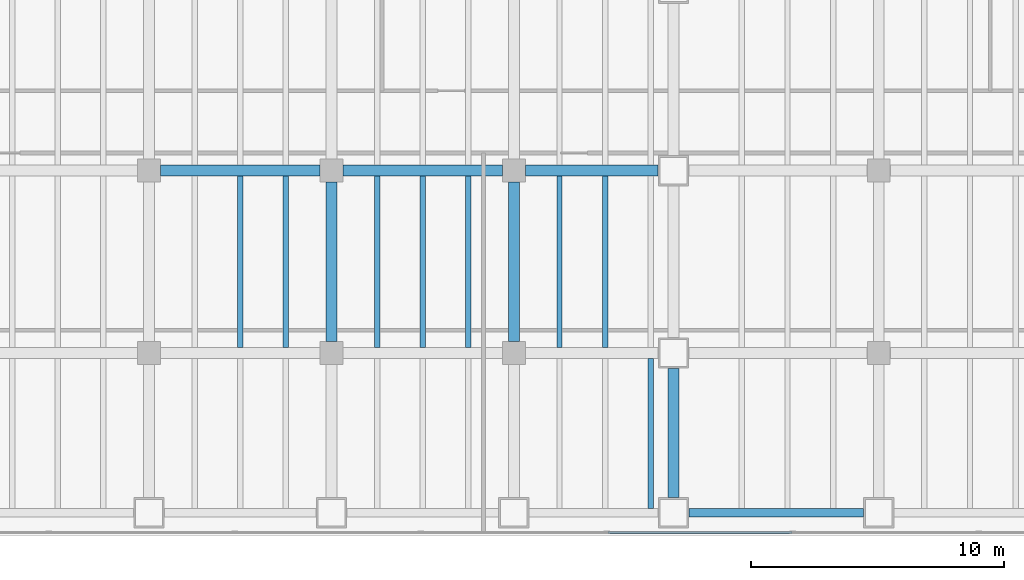
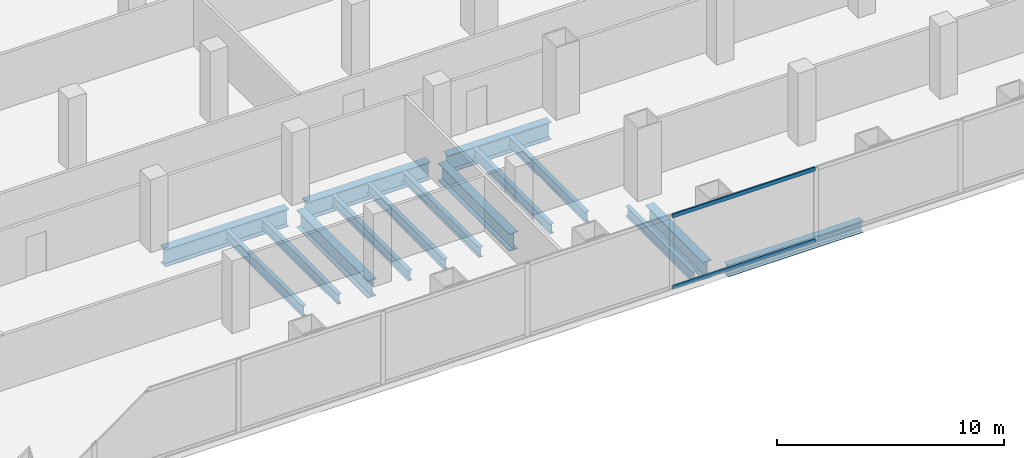
# One storey, part 6 of 29: 15 beams, 2 members, 1 element without a shape of its own.
"""IFC4 building model written with IfcOpenShell, lengths in metres."""

import ifcopenshell
import ifcopenshell.guid

model = None  # the IFC model being written
_history = None  # IfcOwnerHistory: only IFC2X3 demands one
_inside = {}  # id of a spatial element -> (the spatial element, [elements in it])
_under = {}  # id of a project, library or spatial element -> (it, [spatial elements below it])
_declared = {}  # id of a project -> (the project, [libraries it declares])
_typed = {}  # id of a type object -> (the type object, [elements of that type])
_made_of = {}  # id of a material, layer set ... -> (it, [elements and type objects made of it])


def new_model(schema):
    """Start an empty IFC model of exactly this schema.

    Asked for "IFC4X3", IfcOpenShell would pick the latest addendum, in which some entities
    have other attributes; the version numbers below select the first issue.
    IFC2X3 requires an IfcOwnerHistory on every rooted entity: one is made here for all.
    """
    global model, _history
    if schema == "IFC4X3":
        model = ifcopenshell.file(schema_version=(4, 3, 0, 0))
    else:
        model = ifcopenshell.file(schema=schema)
    _inside.clear()
    _under.clear()
    _declared.clear()
    _typed.clear()
    _made_of.clear()
    _history = None
    if model.schema == "IFC2X3":
        org = make("IfcOrganization", Name="unknown")
        user = make(
            "IfcPersonAndOrganization",
            ThePerson=make("IfcPerson", FamilyName="unknown"),
            TheOrganization=org,
        )
        app = make(
            "IfcApplication",
            ApplicationDeveloper=org,
            Version="unknown",
            ApplicationFullName="unknown",
            ApplicationIdentifier="unknown",
        )
        _history = make(
            "IfcOwnerHistory",
            OwningUser=user,
            OwningApplication=app,
            ChangeAction="ADDED",
            CreationDate=0,
        )
    return model


def make(cls, **values):
    """One entity of the class cls with the attributes given. An attribute that is None is left unset."""
    return model.create_entity(
        cls, **{name: value for name, value in values.items() if value is not None}
    )


def rooted(cls, **values):
    """An entity with a GlobalId (a new one), such as an element, a storey or a relation."""
    return make(cls, GlobalId=ifcopenshell.guid.new(), OwnerHistory=_history, **values)


def si_unit(unit_type, name, prefix=None):
    """IfcSIUnit, for example si_unit("LENGTHUNIT", "METRE", prefix="MILLI")."""
    return make("IfcSIUnit", UnitType=unit_type, Prefix=prefix, Name=name)


def assignment(units):
    """IfcUnitAssignment: the units of a project."""
    return None if units is None else make("IfcUnitAssignment", Units=units)


def point(xyz):
    """IfcCartesianPoint."""
    return None if xyz is None else make("IfcCartesianPoint", Coordinates=xyz)


def direction(xyz):
    """IfcDirection."""
    return None if xyz is None else make("IfcDirection", DirectionRatios=xyz)


def frame(location, z_axis=None, x_axis=None):
    """IfcAxis2Placement3D, a coordinate frame: its origin and axes. An axis left out is left unset."""
    return make(
        "IfcAxis2Placement3D",
        Location=point(location),
        Axis=direction(z_axis),
        RefDirection=direction(x_axis),
    )


def frame_2d(location, x_axis=None):
    """IfcAxis2Placement2D, a coordinate frame in the plane: its origin and x axis."""
    return make(
        "IfcAxis2Placement2D", Location=point(location), RefDirection=direction(x_axis)
    )


def origin():
    """The frame at (0, 0, 0) with its axes left unset."""
    return frame((0.0, 0.0, 0.0))


def origin_2d():
    """The frame at (0, 0) in the plane with its x axis left unset."""
    return frame_2d((0.0, 0.0))


def place(relative_to, where):
    """IfcLocalPlacement: puts the frame where relative to a parent placement (None: the world)."""
    return make(
        "IfcLocalPlacement", PlacementRelTo=relative_to, RelativePlacement=where
    )


def context(
    kind, dimensions, precision=None, world=None, true_north=None, identifier=None
):
    """IfcGeometricRepresentationContext, for example the 3D "Model" context."""
    return make(
        "IfcGeometricRepresentationContext",
        ContextIdentifier=identifier,
        ContextType=kind,
        CoordinateSpaceDimension=dimensions,
        Precision=precision,
        WorldCoordinateSystem=world,
        TrueNorth=true_north,
    )


def subcontext(parent, identifier, kind, view, scale=None):
    """IfcGeometricRepresentationSubContext, for example "Body" below "Model"."""
    return make(
        "IfcGeometricRepresentationSubContext",
        ContextIdentifier=identifier,
        ContextType=kind,
        ParentContext=parent,
        TargetScale=scale,
        TargetView=view,
    )


def project(units=None, contexts=None):
    """IfcProject with its units and contexts."""
    return rooted(
        "IfcProject",
        Name="project",
        RepresentationContexts=contexts,
        UnitsInContext=assignment(units),
    )


def spatial(cls, under=None, at=None, **own):
    """A site, building, storey or space (cls), placed at a placement, below another one or the project."""
    s = rooted(cls, ObjectPlacement=at, **own)
    if under is not None:
        _under.setdefault(under.id(), (under, []))[1].append(s)
    return s


def profile(cls, at=None, kind="AREA", **sizes):
    """A parametric profile (cls). Its sizes go by their IFC names, for example OverallWidth=200.0."""
    return make(cls, ProfileType=kind, Position=at, **sizes)


def hollow_rectangle(**sizes):
    """IfcRectangleHollowProfileDef."""
    return profile("IfcRectangleHollowProfileDef", **sizes)


def i_section(**sizes):
    """IfcIShapeProfileDef."""
    return profile("IfcIShapeProfileDef", **sizes)


def extrude(swept, where, along, depth):
    """IfcExtrudedAreaSolid: the profile swept, set in the frame where, extruded along a direction by depth."""
    return make(
        "IfcExtrudedAreaSolid",
        SweptArea=swept,
        Position=where,
        ExtrudedDirection=direction(along),
        Depth=depth,
    )


def shape(context_of_items, identifier, shape_type, items):
    """IfcShapeRepresentation: the items that make up one representation, for example the "Body"."""
    return make(
        "IfcShapeRepresentation",
        ContextOfItems=context_of_items,
        RepresentationIdentifier=identifier,
        RepresentationType=shape_type,
        Items=items,
    )


def material(Name=None, Category=None):
    """IfcMaterial."""
    return make("IfcMaterial", Name=Name, Category=Category)


def material_profile(
    of_material, cross_section, Name=None, Category=None, Priority=None
):
    """IfcMaterialProfile: a cross section and its material."""
    return make(
        "IfcMaterialProfile",
        Name=Name,
        Material=of_material,
        Profile=cross_section,
        Priority=Priority,
        Category=Category,
    )


def profile_set(profiles, Name=None, composite=None):
    """IfcMaterialProfileSet."""
    return make(
        "IfcMaterialProfileSet",
        Name=Name,
        MaterialProfiles=profiles,
        CompositeProfile=composite,
    )


def made_of(thing, what):
    """Note that an element or type object is made of a material, layer set ...; save() writes the relation."""
    if what is not None:
        _made_of.setdefault(what.id(), (what, []))[1].append(thing)
    return thing


def type_object(cls, material=None, **own):
    """A type object (cls), such as IfcWallType, which elements share."""
    return made_of(rooted(cls, **own), material)


def element(
    cls,
    number,
    at=None,
    inside=None,
    cuts=None,
    type_object=None,
    material=None,
    context=None,
    identifier="Body",
    shape_type=None,
    held_by="IfcProductDefinitionShape",
    body=None,
    shapes=None,
    **own,
):
    """One element of the class cls, such as IfcWall. Its Tag is "e" and its number.

    at: its placement. inside: the storey or other place that contains it. cuts: it is an
    opening in that element (IfcRelVoidsElement). A single representation is given by context,
    identifier, shape_type and body (its items); several are given by shapes. held_by: the class
    of the entity that holds the representations. save() writes the other relations.
    """
    e = rooted(cls, Tag="e%d" % number, ObjectPlacement=at, **own)
    if body is not None:
        shapes = [shape(context, identifier, shape_type, body)]
    if shapes is not None:
        e.Representation = make(held_by, Representations=shapes)
    if inside is not None:
        _inside.setdefault(inside.id(), (inside, []))[1].append(e)
    if cuts is not None:
        rooted(
            "IfcRelVoidsElement", RelatingBuildingElement=cuts, RelatedOpeningElement=e
        )
    if type_object is not None:
        _typed.setdefault(type_object.id(), (type_object, []))[1].append(e)
    return made_of(e, material)


def aggregate(whole, parts):
    """IfcRelAggregates: a whole, such as a stair, and the parts it consists of."""
    return rooted("IfcRelAggregates", RelatingObject=whole, RelatedObjects=parts)


def save(model, path):
    """Write the relations noted so far, then the file.

    IfcRelAggregates (storeys below a building ...), IfcRelContainedInSpatialStructure (elements
    in a storey), IfcRelDefinesByType, IfcRelAssociatesMaterial and IfcRelDeclares: one each for
    every whole, place, type object, material and project.
    """
    for whole, parts in _under.values():
        aggregate(whole, parts)
    for where, things in _inside.values():
        rooted(
            "IfcRelContainedInSpatialStructure",
            RelatedElements=things,
            RelatingStructure=where,
        )
    for kind, things in _typed.values():
        rooted("IfcRelDefinesByType", RelatedObjects=things, RelatingType=kind)
    for what, things in _made_of.values():
        rooted("IfcRelAssociatesMaterial", RelatedObjects=things, RelatingMaterial=what)
    for by, libraries in _declared.values():
        rooted("IfcRelDeclares", RelatingContext=by, RelatedDefinitions=libraries)
    model.write(path)


model = new_model("IFC4")

# Units and contexts
model_context = context("Model", 3, precision=1e-05, world=origin(), true_north=direction((0.0, 1.0)))
body_context = subcontext(model_context, "Body", "Model", "MODEL_VIEW")
ifc_project = project(units=[si_unit("LENGTHUNIT", "METRE"), si_unit("AREAUNIT", "SQUARE_METRE"), si_unit("VOLUMEUNIT", "CUBIC_METRE"), si_unit("PLANEANGLEUNIT", "RADIAN"), si_unit("MASSUNIT", "GRAM", prefix="KILO")], contexts=[model_context])

# Site, building, storey
site_placement = place(None, origin())
site = spatial("IfcSite", under=ifc_project, at=site_placement, CompositionType="ELEMENT")
building_placement = place(site_placement, origin())
building = spatial("IfcBuilding", under=site, at=building_placement, Name="Cobrela Telecom Tower", CompositionType="ELEMENT")
storey_placement = place(building_placement, frame((0.0, 0.0, 13.64990234375)))
storey = spatial("IfcBuildingStorey", under=building, at=storey_placement, Name="L03", CompositionType="ELEMENT", Elevation=13.64990234375)

# Beams
ifc_material_1 = material(Name="Steel ASTM A992 Grade 50", Category="steel")
ifc_material_profile_1 = material_profile(ifc_material_1, i_section(OverallWidth=0.424072265625, OverallDepth=0.947021484375, WebThickness=0.02392578125, FlangeThickness=0.042724609375, FilletRadius=0.02392578125, at=origin_2d()), Name="W36X302")
ifc_profile_set_1 = profile_set([ifc_material_profile_1], Name="Steel ASTM A992 Grade 50")
beam_type_1 = type_object("IfcBeamType", Name="BM-GIRD-01", PredefinedType="USERDEFINED", material=ifc_profile_set_1)
for number, where, z_axis, x_axis, name in (
    (1, (29.2548828125, 14.39990234375, -0.7734375), (1.0, 0.0, 0.0), (0.0, 1.0, 0.0), "L03 Primary Girder X21"),
    (2, (36.455078125, 14.39990234375, -0.7734375), (1.0, 0.0, 0.0), (0.0, 1.0, 0.0), "L03 Primary Girder X22"),
):
    element("IfcBeam", number, at=place(storey_placement, frame(where, z_axis=z_axis, x_axis=x_axis)), inside=storey, type_object=beam_type_1, Name=name, ObjectType="GIRDER", PredefinedType="USERDEFINED", context=body_context, shape_type="SweptSolid", body=[
        extrude(i_section(OverallWidth=0.424072265625, OverallDepth=0.947021484375, WebThickness=0.02392578125, FlangeThickness=0.042724609375, FilletRadius=0.02392578125, at=origin_2d()), origin(), (0.0, 0.0, 1.0), 6.2900390625),
    ])
beam_1_placement = place(storey_placement, frame((43.655029296875, 14.39990234375, -0.7734375), z_axis=(1.0, 0.0, 0.0), x_axis=(0.0, 1.0, 0.0)))
element("IfcBeam", 3, at=beam_1_placement, inside=storey, type_object=beam_type_1, Name="L03 Primary Girder X23", ObjectType="GIRDER", PredefinedType="USERDEFINED", context=body_context, shape_type="SweptSolid", body=[
    extrude(i_section(OverallWidth=0.424072265625, OverallDepth=0.947021484375, WebThickness=0.02392578125, FlangeThickness=0.042724609375, FilletRadius=0.02392578125, at=origin_2d()), origin(), (0.0, 0.0, 1.0), 5.239990234375),
])
for number, where, z_axis, x_axis, name in (
    (4, (36.0, 7.655029296875, -0.7734375), (0.0, 1.0, 0.0), (-1.0, 0.0, 0.0), "L03 Primary Girder Y72"),
    (5, (43.199951171875, 7.655029296875, -0.7734375), (0.0, 1.0, 0.0), (-1.0, 0.0, 0.0), "L03 Primary Girder Y79"),
):
    element("IfcBeam", number, at=place(storey_placement, frame(where, z_axis=z_axis, x_axis=x_axis)), inside=storey, type_object=beam_type_1, Name=name, ObjectType="GIRDER", PredefinedType="USERDEFINED", context=body_context, shape_type="SweptSolid", body=[
        extrude(i_section(OverallWidth=0.424072265625, OverallDepth=0.947021484375, WebThickness=0.02392578125, FlangeThickness=0.042724609375, FilletRadius=0.02392578125, at=origin_2d()), origin(), (0.0, 0.0, 1.0), 6.2900390625),
    ])
beam_2_placement = place(storey_placement, frame((49.5, 1.5048828125, -0.7734375), z_axis=(0.0, 1.0, 0.0), x_axis=(-1.0, 0.0, 0.0)))
element("IfcBeam", 6, at=beam_2_placement, inside=storey, type_object=beam_type_1, Name="L03 Primary Girder Y85", ObjectType="GIRDER", PredefinedType="USERDEFINED", context=body_context, shape_type="SweptSolid", body=[
    extrude(i_section(OverallWidth=0.424072265625, OverallDepth=0.947021484375, WebThickness=0.02392578125, FlangeThickness=0.042724609375, FilletRadius=0.02392578125, at=origin_2d()), origin(), (0.0, 0.0, 1.0), 5.090087890625),
])
ifc_material_profile_2 = material_profile(ifc_material_1, i_section(OverallWidth=0.212890625, OverallDepth=0.549072265625, WebThickness=0.0146484375, FlangeThickness=0.023681640625, FilletRadius=0.013916015625, at=origin_2d()), Name="W21X93")
ifc_profile_set_2 = profile_set([ifc_material_profile_2], Name="Steel ASTM A992 Grade 50")
beam_type_2 = type_object("IfcBeamType", Name="BM-JOIST-01", PredefinedType="JOIST", material=ifc_profile_set_2)
for number, where, z_axis, x_axis, name in (
    (7, (32.39990234375, 7.4169921875, -0.574462890625), (0.0, 1.0, 0.0), (-1.0, 0.0, 0.0), "L03 Secondary Composite Floor Beam J59"),
    (8, (34.199951171875, 7.4169921875, -0.574462890625), (0.0, 1.0, 0.0), (-1.0, 0.0, 0.0), "L03 Secondary Composite Floor Beam J64"),
    (9, (37.800048828125, 7.4169921875, -0.574462890625), (0.0, 1.0, 0.0), (-1.0, 0.0, 0.0), "L03 Secondary Composite Floor Beam J71"),
    (10, (39.60009765625, 7.4169921875, -0.574462890625), (0.0, 1.0, 0.0), (-1.0, 0.0, 0.0), "L03 Secondary Composite Floor Beam J78"),
    (11, (41.39990234375, 7.4169921875, -0.574462890625), (0.0, 1.0, 0.0), (-1.0, 0.0, 0.0), "L03 Secondary Composite Floor Beam J85"),
    (12, (45.0, 7.4169921875, -0.574462890625), (0.0, 1.0, 0.0), (-1.0, 0.0, 0.0), "L03 Secondary Composite Floor Beam J92"),
    (13, (46.800048828125, 7.4169921875, -0.574462890625), (0.0, 1.0, 0.0), (-1.0, 0.0, 0.0), "L03 Secondary Composite Floor Beam J95"),
):
    element("IfcBeam", number, at=place(storey_placement, frame(where, z_axis=z_axis, x_axis=x_axis)), inside=storey, type_object=beam_type_2, Name=name, PredefinedType="JOIST", context=body_context, shape_type="SweptSolid", body=[
        extrude(i_section(OverallWidth=0.212890625, OverallDepth=0.549072265625, WebThickness=0.0146484375, FlangeThickness=0.023681640625, FilletRadius=0.013916015625, at=origin_2d()), origin(), (0.0, 0.0, 1.0), 6.76611328125),
    ])
beam_3_placement = place(storey_placement, frame((48.60009765625, 1.069091796875, -0.574462890625), z_axis=(0.0, 1.0, 0.0), x_axis=(-1.0, 0.0, 0.0)))
element("IfcBeam", 14, at=beam_3_placement, inside=storey, type_object=beam_type_2, Name="L03 Secondary Composite Floor Beam J97", PredefinedType="JOIST", context=body_context, shape_type="SweptSolid", body=[
    extrude(i_section(OverallWidth=0.212890625, OverallDepth=0.549072265625, WebThickness=0.0146484375, FlangeThickness=0.023681640625, FilletRadius=0.013916015625, at=origin_2d()), origin(), (0.0, 0.0, 1.0), 5.913818359375),
])
ifc_material_profile_3 = material_profile(ifc_material_1, i_section(OverallWidth=0.327880859375, OverallDepth=0.6220703125, WebThickness=0.015380859375, FlangeThickness=0.0244140625, FilletRadius=0.014892578125, at=origin_2d()), Name="W24X131")
ifc_profile_set_3 = profile_set([ifc_material_profile_3], Name="Steel ASTM A992 Grade 50")
beam_type_3 = type_object("IfcBeamType", Name="BM-SPAND-01", PredefinedType="SPANDREL", material=ifc_profile_set_3)
beam_4_placement = place(storey_placement, frame((50.10498046875, 0.89990234375, -0.61083984375), z_axis=(1.0, 0.0, 0.0), x_axis=(0.0, 1.0, 0.0)))
element("IfcBeam", 15, at=beam_4_placement, inside=storey, type_object=beam_type_3, Name="L03 Perimeter Spandrel X06", PredefinedType="SPANDREL", context=body_context, shape_type="SweptSolid", body=[
    extrude(i_section(OverallWidth=0.327880859375, OverallDepth=0.6220703125, WebThickness=0.015380859375, FlangeThickness=0.0244140625, FilletRadius=0.014892578125, at=origin_2d()), origin(), (0.0, 0.0, 1.0), 6.89013671875),
])

# Curtain wall, members
ifc_material_2 = material(Name="Anodized Bronze Aluminium 6063-T6", Category="aluminium")
curtain_wall_type = type_object("IfcCurtainWallType", Name="CW-SYS-CONC", PredefinedType="USERDEFINED", material=ifc_material_2)
curtain_wall_placement = place(storey_placement, origin())
curtain_wall = element("IfcCurtainWall", 16, at=curtain_wall_placement, inside=storey, type_object=curtain_wall_type, Name="L03 Unitised Bronze Curtain Wall 17", ObjectType="UNITISED CURTAIN WALL", PredefinedType="USERDEFINED")
ifc_material_profile_4 = material_profile(ifc_material_2, hollow_rectangle(XDim=0.080078125, YDim=0.199951171875, WallThickness=0.00390625, at=origin_2d()), Name="ALU 80x200x4")
ifc_profile_set_4 = profile_set([ifc_material_profile_4], Name="Anodized Bronze Aluminium 6063-T6")
member_type = type_object("IfcMemberType", Name="CW-SYS-CONC-TRN", PredefinedType="USERDEFINED", material=ifc_profile_set_4)
member_1_placement = place(storey_placement, frame((54.172607421875, 0.1201171875, 0.0400390625), z_axis=(-1.0, 0.0, 0.0), x_axis=(0.0, -1.0, 0.0)))
member_1 = element("IfcMember", 17, at=member_1_placement, type_object=member_type, Name="CW-CONC transom 5.1", ObjectType="TRANSOM", PredefinedType="USERDEFINED", context=body_context, shape_type="SweptSolid", body=[
    extrude(hollow_rectangle(XDim=0.080078125, YDim=0.199951171875, WallThickness=0.00390625, at=origin_2d()), origin(), (0.0, 0.0, 1.0), 7.26171875),
])
member_2_placement = place(storey_placement, frame((54.172607421875, 0.1201171875, 3.8701171875), z_axis=(-1.0, 0.0, 0.0), x_axis=(0.0, -1.0, 0.0)))
member_2 = element("IfcMember", 18, at=member_2_placement, type_object=member_type, Name="CW-CONC transom 5.2", ObjectType="TRANSOM", PredefinedType="USERDEFINED", context=body_context, shape_type="SweptSolid", body=[
    extrude(hollow_rectangle(XDim=0.080078125, YDim=0.199951171875, WallThickness=0.00390625, at=origin_2d()), origin(), (0.0, 0.0, 1.0), 7.26171875),
])
aggregate(curtain_wall, [member_1, member_2])

save(model, "model.ifc")
